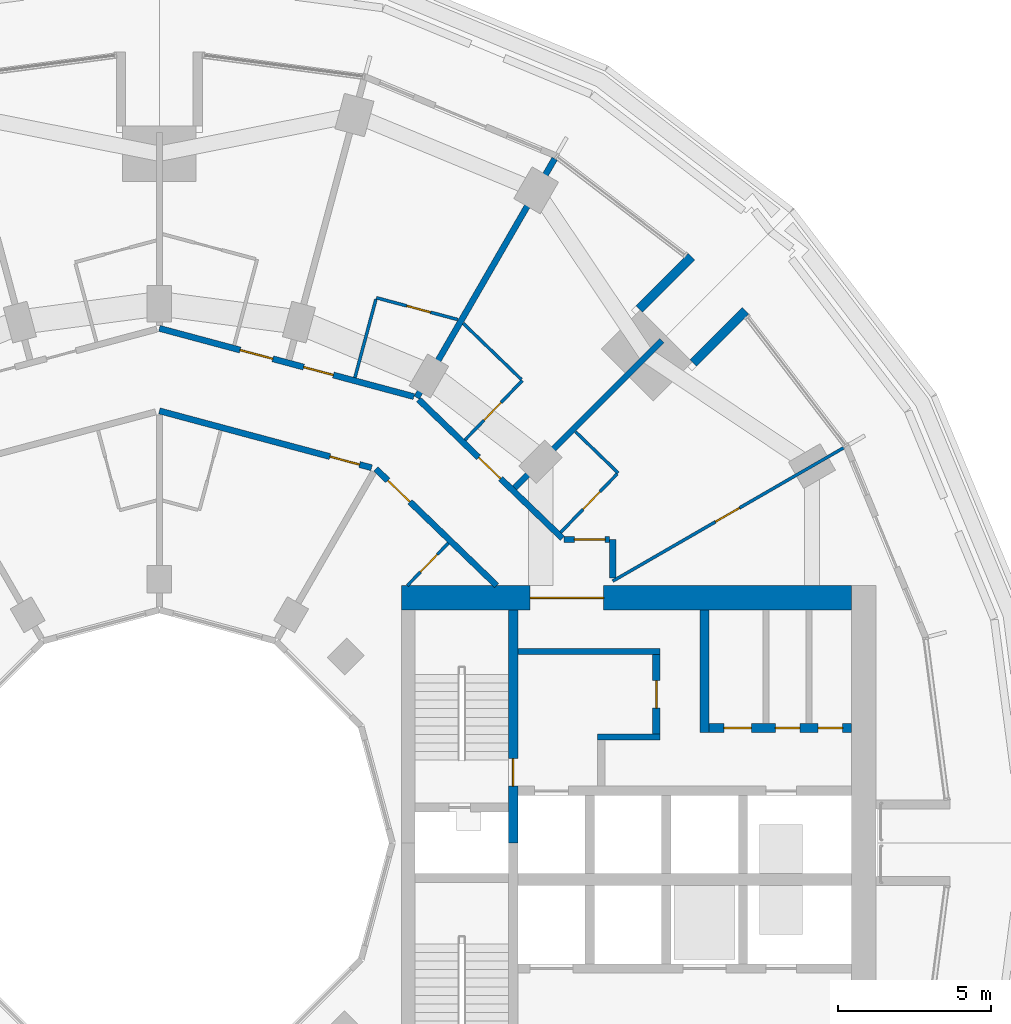
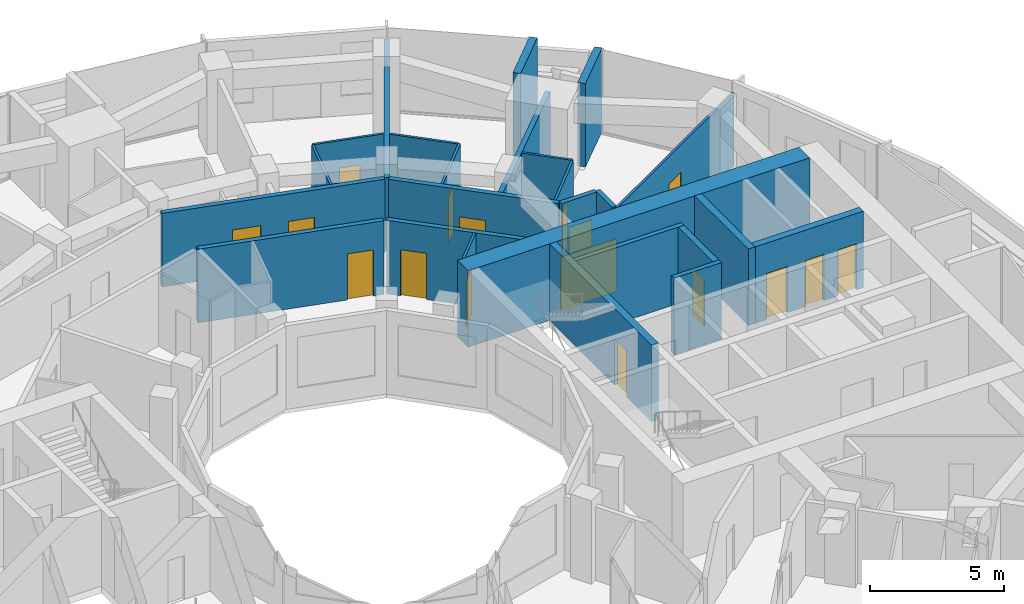
# One storey, part 16 of 19: 25 walls, 17 doors, 17 openings.
"""IFC4 building model written with IfcOpenShell, lengths in metres."""

from ifc_helpers import new_model, si_unit, direction, frame, frame_2d, origin, place, context, subcontext, project, spatial, rectangle, extrude, material, layer, layer_set, type_object, element, fill, save


model = new_model("IFC4")

# Units and contexts
model_context = context("Model", 3, precision=1e-05, world=origin(), true_north=direction((0.0, 1.0)))
body_context = subcontext(model_context, "Body", "Model", "MODEL_VIEW")
ifc_project = project(units=[si_unit("LENGTHUNIT", "METRE"), si_unit("AREAUNIT", "SQUARE_METRE"), si_unit("VOLUMEUNIT", "CUBIC_METRE"), si_unit("PLANEANGLEUNIT", "RADIAN"), si_unit("MASSUNIT", "GRAM", prefix="KILO")], contexts=[model_context])

# Site, building, storey
site_placement = place(None, origin())
site = spatial("IfcSite", under=ifc_project, at=site_placement, CompositionType="ELEMENT")
building_placement = place(site_placement, origin())
building = spatial("IfcBuilding", under=site, at=building_placement, Name="Torre Brocal", CompositionType="ELEMENT")
storey_placement = place(building_placement, frame((0.0, 0.0, 28.800048828125)))
storey = spatial("IfcBuildingStorey", under=building, at=storey_placement, Name="L05", CompositionType="ELEMENT", Elevation=28.800048828125)

# Walls
ifc_material_1 = material(Name="Concrete C80", Category="concrete")
ifc_layer_1 = layer(ifc_material_1, 0.199951171875)
ifc_layer_set_1 = layer_set([ifc_layer_1], Name="Concrete C80")
wall_type_1 = type_object("IfcWallType", Name="CORE WALL 200 C80", PredefinedType="SHEAR", material=ifc_layer_set_1)
wall_1_placement = place(storey_placement, frame((91.699951171875, 81.25, 0.0), z_axis=(0.0, 0.0, 1.0), x_axis=(1.0, 0.0, 0.0)))
element("IfcWall", 1, at=wall_1_placement, inside=storey, type_object=wall_type_1, Name="Wall CW200-80", PredefinedType="SHEAR", context=body_context, shape_type="SweptSolid", body=[
    extrude(rectangle(XDim=4.650146484375, YDim=0.199951171875, at=frame_2d((2.3251953125, 0.0))), origin(), (0.0, 0.0, 1.0), 3.47998046875),
])
wall_2_placement = place(storey_placement, frame((94.300048828125, 78.449951171875, 0.0), z_axis=(0.0, 0.0, 1.0), x_axis=(1.0, 0.0, 0.0)))
element("IfcWall", 2, at=wall_2_placement, inside=storey, type_object=wall_type_1, Name="Wall CW200-80", PredefinedType="SHEAR", context=body_context, shape_type="SweptSolid", body=[
    extrude(rectangle(XDim=2.050048828125, YDim=0.199951171875, at=frame_2d((1.02490234375, 0.0))), origin(), (0.0, 0.0, 1.0), 3.47998046875),
])

# Wall, opening, door
ifc_material_2 = material(Name="Concrete C80", Category="concrete")
ifc_layer_2 = layer(ifc_material_2, 0.25)
ifc_layer_set_2 = layer_set([ifc_layer_2], Name="Concrete C80")
wall_type_2 = type_object("IfcWallType", Name="CORE WALL 250 C80", PredefinedType="SHEAR", material=ifc_layer_set_2)
wall_3_placement = place(storey_placement, frame((96.22509765625, 78.550048828125, 0.0), z_axis=(0.0, 0.0, 1.0), x_axis=(0.0, 1.0, 0.0)))
wall_3 = element("IfcWall", 3, at=wall_3_placement, inside=storey, type_object=wall_type_2, Name="Wall CW250-80", PredefinedType="SHEAR", context=body_context, shape_type="SweptSolid", body=[
    extrude(rectangle(XDim=2.599853515625, YDim=0.25, at=frame_2d((1.2998046875, 0.0))), origin(), (0.0, 0.0, 1.0), 3.47998046875),
])
opening_1_placement = place(wall_3_placement, frame((0.85009765625, 0.0, 0.0)))
opening_1 = element("IfcOpeningElement", 4, at=opening_1_placement, cuts=wall_3, Name="Opening E-D15", PredefinedType="OPENING", context=body_context, shape_type="SweptSolid", body=[
    extrude(rectangle(XDim=0.89990234375, YDim=2.10009765625, at=frame_2d((0.449951171875, 1.050048828125))), frame((0.0, 0.135009765625, 0.0), z_axis=(0.0, -1.0, 0.0), x_axis=(1.0, 0.0, 0.0)), (0.0, 0.0, 1.0), 0.27001953125),
])
ifc_material_3 = material(Name="Steel A653", Category="steel")
door_type_1 = type_object("IfcDoorType", Name="LOBBY DOOR FD120 900X2100", OperationType="SINGLE_SWING_RIGHT", PredefinedType="DOOR", material=ifc_material_3)
door_1_placement = place(opening_1_placement, origin())
door_1 = element("IfcDoor", 5, at=door_1_placement, inside=storey, type_object=door_type_1, Name="Door E-D15", OperationType="SINGLE_SWING_LEFT", OverallHeight=2.10009765625, OverallWidth=0.89990234375, PredefinedType="DOOR", context=body_context, shape_type="SweptSolid", body=[
    extrude(rectangle(XDim=0.89990234375, YDim=2.10009765625, at=frame_2d((0.449951171875, 1.050048828125))), frame((0.0, 0.02490234375, 0.0), z_axis=(0.0, -1.0, 0.0), x_axis=(1.0, 0.0, 0.0)), (0.0, 0.0, 1.0), 0.050048828125),
])
fill(opening_1, door_1)

ifc_material_4 = material(Name="Concrete C80", Category="concrete")
ifc_layer_3 = layer(ifc_material_4, 0.300048828125)
ifc_layer_set_3 = layer_set([ifc_layer_3], Name="Concrete C80")
wall_type_3 = type_object("IfcWallType", Name="CORE WALL 300 C80", PredefinedType="SHEAR", material=ifc_layer_set_3)
wall_4_placement = place(storey_placement, frame((91.550048828125, 75.0, 0.0), z_axis=(0.0, 0.0, 1.0), x_axis=(0.0, 1.0, 0.0)))
wall_4 = element("IfcWall", 6, at=wall_4_placement, inside=storey, type_object=wall_type_3, Name="Wall CW300-80", PredefinedType="SHEAR", context=body_context, shape_type="SweptSolid", body=[
    extrude(rectangle(XDim=7.60009765625, YDim=0.300048828125, at=frame_2d((3.800048828125, 0.0))), origin(), (0.0, 0.0, 1.0), 3.47998046875),
])
opening_2_placement = place(wall_4_placement, frame((1.85009765625, 0.0, 0.0)))
opening_2 = element("IfcOpeningElement", 7, at=opening_2_placement, cuts=wall_4, Name="Opening E-D02", PredefinedType="OPENING", context=body_context, shape_type="SweptSolid", body=[
    extrude(rectangle(XDim=0.89990234375, YDim=2.10009765625, at=frame_2d((0.449951171875, 1.050048828125))), frame((0.0, 0.159912109375, 0.0), z_axis=(0.0, -1.0, 0.0), x_axis=(1.0, 0.0, 0.0)), (0.0, 0.0, 1.0), 0.320068359375),
])
ifc_material_5 = material(Name="Steel A653", Category="steel")
door_type_2 = type_object("IfcDoorType", Name="STAIR DOOR FD120 900X2100", OperationType="SINGLE_SWING_RIGHT", PredefinedType="DOOR", material=ifc_material_5)
door_2_placement = place(opening_2_placement, origin())
door_2 = element("IfcDoor", 8, at=door_2_placement, inside=storey, type_object=door_type_2, Name="Door E-D02", OperationType="SINGLE_SWING_LEFT", OverallHeight=2.10009765625, OverallWidth=0.89990234375, PredefinedType="DOOR", context=body_context, shape_type="SweptSolid", body=[
    extrude(rectangle(XDim=0.89990234375, YDim=2.10009765625, at=frame_2d((0.449951171875, 1.050048828125))), frame((0.0, 0.02490234375, 0.0), z_axis=(0.0, -1.0, 0.0), x_axis=(1.0, 0.0, 0.0)), (0.0, 0.0, 1.0), 0.050048828125),
])
fill(opening_2, door_2)

# Wall
wall_5_placement = place(storey_placement, frame((97.800048828125, 78.60009765625, 0.0), z_axis=(0.0, 0.0, 1.0), x_axis=(0.0, 1.0, 0.0)))
element("IfcWall", 9, at=wall_5_placement, inside=storey, type_object=wall_type_3, Name="Wall CW300-80", PredefinedType="SHEAR", context=body_context, shape_type="SweptSolid", body=[
    extrude(rectangle(XDim=4.0, YDim=0.300048828125, at=frame_2d((2.0, 0.0))), origin(), (0.0, 0.0, 1.0), 3.47998046875),
])

# Wall, openings, doors
wall_6_placement = place(storey_placement, frame((97.949951171875, 78.75, 0.0), z_axis=(0.0, 0.0, 1.0), x_axis=(1.0, 0.0, 0.0)))
wall_6 = element("IfcWall", 10, at=wall_6_placement, inside=storey, type_object=wall_type_3, Name="Wall CW300-80", PredefinedType="SHEAR", context=body_context, shape_type="SweptSolid", body=[
    extrude(rectangle(XDim=4.650146484375, YDim=0.300048828125, at=frame_2d((2.3251953125, 0.0))), origin(), (0.0, 0.0, 1.0), 3.47998046875),
])
opening_3_placement = place(wall_6_placement, frame((0.47998046875, 0.0, 0.0)))
opening_3 = element("IfcOpeningElement", 11, at=opening_3_placement, cuts=wall_6, Name="Opening E-D05", PredefinedType="OPENING", context=body_context, shape_type="SweptSolid", body=[
    extrude(rectangle(XDim=0.89990234375, YDim=2.10009765625, at=frame_2d((0.449951171875, 1.050048828125))), frame((0.0, 0.159912109375, 0.0), z_axis=(0.0, -1.0, 0.0), x_axis=(1.0, 0.0, 0.0)), (0.0, 0.0, 1.0), 0.320068359375),
])
opening_4_placement = place(wall_6_placement, frame((2.157470703125, 0.0, 0.0)))
opening_4 = element("IfcOpeningElement", 12, at=opening_4_placement, cuts=wall_6, Name="Opening E-D22", PredefinedType="OPENING", context=body_context, shape_type="SweptSolid", body=[
    extrude(rectangle(XDim=0.800048828125, YDim=2.10009765625, at=frame_2d((0.39990234375, 1.050048828125))), frame((0.0, 0.159912109375, 0.0), z_axis=(0.0, -1.0, 0.0), x_axis=(1.0, 0.0, 0.0)), (0.0, 0.0, 1.0), 0.320068359375),
])
opening_5_placement = place(wall_6_placement, frame((3.552490234375, 0.0, 0.0)))
opening_5 = element("IfcOpeningElement", 13, at=opening_5_placement, cuts=wall_6, Name="Opening E-D25", PredefinedType="OPENING", context=body_context, shape_type="SweptSolid", body=[
    extrude(rectangle(XDim=0.800048828125, YDim=2.10009765625, at=frame_2d((0.39990234375, 1.050048828125))), frame((0.0, 0.159912109375, 0.0), z_axis=(0.0, -1.0, 0.0), x_axis=(1.0, 0.0, 0.0)), (0.0, 0.0, 1.0), 0.320068359375),
])
ifc_material_6 = material(Name="Steel A653", Category="steel")
door_type_3 = type_object("IfcDoorType", Name="ROOM DOOR FD30S 800X2100", OperationType="SINGLE_SWING_LEFT", PredefinedType="DOOR", material=ifc_material_6)
door_3_placement = place(opening_4_placement, origin())
door_3 = element("IfcDoor", 14, at=door_3_placement, inside=storey, type_object=door_type_3, Name="Door E-D22", OperationType="SINGLE_SWING_RIGHT", OverallHeight=2.10009765625, OverallWidth=0.800048828125, PredefinedType="DOOR", context=body_context, shape_type="SweptSolid", body=[
    extrude(rectangle(XDim=0.800048828125, YDim=2.10009765625, at=frame_2d((0.39990234375, 1.050048828125))), frame((0.0, 0.02490234375, 0.0), z_axis=(0.0, -1.0, 0.0), x_axis=(1.0, 0.0, 0.0)), (0.0, 0.0, 1.0), 0.050048828125),
])
fill(opening_4, door_3)
door_4_placement = place(opening_5_placement, origin())
door_4 = element("IfcDoor", 15, at=door_4_placement, inside=storey, type_object=door_type_3, Name="Door E-D25", OperationType="SINGLE_SWING_LEFT", OverallHeight=2.10009765625, OverallWidth=0.800048828125, PredefinedType="DOOR", context=body_context, shape_type="SweptSolid", body=[
    extrude(rectangle(XDim=0.800048828125, YDim=2.10009765625, at=frame_2d((0.39990234375, 1.050048828125))), frame((0.0, 0.02490234375, 0.0), z_axis=(0.0, -1.0, 0.0), x_axis=(1.0, 0.0, 0.0)), (0.0, 0.0, 1.0), 0.050048828125),
])
fill(opening_5, door_4)
ifc_material_7 = material(Name="Steel A653", Category="steel")
door_type_4 = type_object("IfcDoorType", Name="ROOM DOOR FD30S 900X2100", OperationType="SINGLE_SWING_LEFT", PredefinedType="DOOR", material=ifc_material_7)
door_5_placement = place(opening_3_placement, origin())
door_5 = element("IfcDoor", 16, at=door_5_placement, inside=storey, type_object=door_type_4, Name="Door E-D05", OperationType="SINGLE_SWING_RIGHT", OverallHeight=2.10009765625, OverallWidth=0.89990234375, PredefinedType="DOOR", context=body_context, shape_type="SweptSolid", body=[
    extrude(rectangle(XDim=0.89990234375, YDim=2.10009765625, at=frame_2d((0.449951171875, 1.050048828125))), frame((0.0, 0.02490234375, 0.0), z_axis=(0.0, -1.0, 0.0), x_axis=(1.0, 0.0, 0.0)), (0.0, 0.0, 1.0), 0.050048828125),
])
fill(opening_3, door_5)

# Wall, opening, door
ifc_material_8 = material(Name="Concrete C80", Category="concrete")
ifc_layer_4 = layer(ifc_material_8, 0.800048828125)
ifc_layer_set_4 = layer_set([ifc_layer_4], Name="Concrete C80")
wall_type_4 = type_object("IfcWallType", Name="CORE WALL 800 C80", PredefinedType="SHEAR", material=ifc_layer_set_4)
wall_7_placement = place(storey_placement, frame((87.89990234375, 83.0, 0.0), z_axis=(0.0, 0.0, 1.0), x_axis=(1.0, 0.0, 0.0)))
wall_7 = element("IfcWall", 17, at=wall_7_placement, inside=storey, type_object=wall_type_4, Name="Wall CW800-80", PredefinedType="SHEAR", context=body_context, shape_type="SweptSolid", body=[
    extrude(rectangle(XDim=14.7001953125, YDim=0.800048828125, at=frame_2d((7.35009765625, 0.0))), origin(), (0.0, 0.0, 1.0), 3.47998046875),
])
opening_6_placement = place(wall_7_placement, frame((4.199951171875, 0.0, 0.0)))
opening_6 = element("IfcOpeningElement", 18, at=opening_6_placement, cuts=wall_7, Name="Opening E-D27", PredefinedType="OPENING", context=body_context, shape_type="SweptSolid", body=[
    extrude(rectangle(XDim=2.39990234375, YDim=2.39990234375, at=frame_2d((1.199951171875, 1.199951171875))), frame((0.0, 0.409912109375, 0.0), z_axis=(0.0, -1.0, 0.0), x_axis=(1.0, 0.0, 0.0)), (0.0, 0.0, 1.0), 0.820068359375),
])
ifc_material_9 = material(Name="Steel A653", Category="steel")
door_type_5 = type_object("IfcDoorType", Name="DOUBLE FIRE DOOR FD90 2400X2400", OperationType="DOUBLE_DOOR_SINGLE_SWING", PredefinedType="DOOR", material=ifc_material_9)
door_6_placement = place(opening_6_placement, frame((2.39990234375, 0.0, 0.0), z_axis=(0.0, 0.0, 1.0), x_axis=(-1.0, 0.0, 0.0)))
door_6 = element("IfcDoor", 19, at=door_6_placement, inside=storey, type_object=door_type_5, Name="Door E-D27", OperationType="DOUBLE_DOOR_SINGLE_SWING", OverallHeight=2.39990234375, OverallWidth=2.39990234375, PredefinedType="DOOR", context=body_context, shape_type="SweptSolid", body=[
    extrude(rectangle(XDim=2.39990234375, YDim=2.39990234375, at=frame_2d((1.199951171875, 1.199951171875))), frame((0.0, 0.02490234375, 0.0), z_axis=(0.0, -1.0, 0.0), x_axis=(1.0, 0.0, 0.0)), (0.0, 0.0, 1.0), 0.050048828125),
])
fill(opening_6, door_6)

# Walls
ifc_material_10 = material(Name="Concrete C80", Category="concrete")
ifc_layer_5 = layer(ifc_material_10, 0.300048828125)
ifc_layer_set_5 = layer_set([ifc_layer_5], Name="Concrete C80")
wall_type_5 = type_object("IfcWallType", Name="NOTCH RETURN WALL 300 C80", PredefinedType="NOTDEFINED", material=ifc_layer_set_5)
for number, where, z_axis, x_axis, name in (
    (20, (97.43017578125, 90.662353515625, 0.0), (0.0, 0.0, 1.0), (0.707106781187, 0.707106781187, 0.0), "NOTCH RETURN WALL"),
    (21, (95.662353515625, 92.43017578125, 0.0), (0.0, 0.0, 1.0), (0.707106781187, 0.707106781187, 0.0), "NOTCH RETURN WALL"),
):
    element("IfcWall", number, at=place(storey_placement, frame(where, z_axis=z_axis, x_axis=x_axis)), inside=storey, type_object=wall_type_5, Name=name, PredefinedType="NOTDEFINED", context=body_context, shape_type="SweptSolid", body=[
        extrude(rectangle(XDim=2.415771484375, YDim=0.300048828125, at=frame_2d((1.2080078125, 0.0))), origin(), (0.0, 0.0, 1.0), 3.800048828125),
    ])
ifc_material_11 = material(Name="Gypsum board", Category="Gypsum")
ifc_layer_6 = layer(ifc_material_11, 0.10009765625)
ifc_layer_set_6 = layer_set([ifc_layer_6], Name="Gypsum board")
wall_type_6 = type_object("IfcWallType", Name="PARTITION 100", PredefinedType="PARTITIONING", material=ifc_layer_set_6)
wall_8_placement = place(storey_placement, frame((86.3837890625, 90.189697265625, 0.0), z_axis=(0.0, 0.0, 1.0), x_axis=(0.258677737588, 0.965963678446, 0.0)))
element("IfcWall", 22, at=wall_8_placement, inside=storey, type_object=wall_type_6, Name="BATHROOM WALL", PredefinedType="PARTITIONING", context=body_context, shape_type="SweptSolid", body=[
    extrude(rectangle(XDim=2.649169921875, YDim=0.10009765625, at=frame_2d((1.32470703125, 0.0))), origin(), (0.0, 0.0, 1.0), 3.349853515625),
])

# Wall, opening, door
wall_9_placement = place(storey_placement, frame((87.08203125, 92.797119140625, 0.0), z_axis=(0.0, 0.0, 1.0), x_axis=(0.965926679745, -0.258815859939, 0.0)))
wall_9 = element("IfcWall", 23, at=wall_9_placement, inside=storey, type_object=wall_type_6, Name="BATHROOM WALL", PredefinedType="PARTITIONING", context=body_context, shape_type="SweptSolid", body=[
    extrude(rectangle(XDim=2.75341796875, YDim=0.10009765625, at=frame_2d((1.376708984375, 0.0))), origin(), (0.0, 0.0, 1.0), 3.349853515625),
])
opening_7_placement = place(wall_9_placement, frame((1.03173828125, 0.0, 0.0)))
opening_7 = element("IfcOpeningElement", 24, at=opening_7_placement, cuts=wall_9, Name="Opening H01-D07", PredefinedType="OPENING", context=body_context, shape_type="SweptSolid", body=[
    extrude(rectangle(XDim=0.800048828125, YDim=2.10009765625, at=frame_2d((0.39990234375, 1.050048828125))), frame((0.0, 0.06005859375, 0.0), z_axis=(0.0, -1.0, 0.0), x_axis=(1.0, 0.0, 0.0)), (0.0, 0.0, 1.0), 0.1201171875),
])
ifc_material_12 = material(Name="Timber", Category="wood")
door_type_6 = type_object("IfcDoorType", Name="BATHROOM DOOR 800X2100", OperationType="SINGLE_SWING_LEFT", PredefinedType="DOOR", material=ifc_material_12)
door_7_placement = place(opening_7_placement, frame((0.800048828125, 0.0, 0.0), z_axis=(0.0, 0.0, 1.0), x_axis=(-1.0, 0.0, 0.0)))
door_7 = element("IfcDoor", 25, at=door_7_placement, inside=storey, type_object=door_type_6, Name="H01-D07", OperationType="SINGLE_SWING_LEFT", OverallHeight=2.10009765625, OverallWidth=0.800048828125, PredefinedType="DOOR", context=body_context, shape_type="SweptSolid", body=[
    extrude(rectangle(XDim=0.800048828125, YDim=2.10009765625, at=frame_2d((0.39990234375, 1.050048828125))), frame((0.0, 0.02490234375, 0.0), z_axis=(0.0, -1.0, 0.0), x_axis=(1.0, 0.0, 0.0)), (0.0, 0.0, 1.0), 0.050048828125),
])
fill(opening_7, door_7)

wall_10_placement = place(storey_placement, frame((88.094970703125, 83.39990234375, 0.0), z_axis=(0.0, 0.0, 1.0), x_axis=(0.694447472534, 0.719543402368, 0.0)))
wall_10 = element("IfcWall", 26, at=wall_10_placement, inside=storey, type_object=wall_type_6, Name="BATHROOM WALL", PredefinedType="PARTITIONING", context=body_context, shape_type="SweptSolid", body=[
    extrude(rectangle(XDim=1.92626953125, YDim=0.10009765625, at=frame_2d((0.963134765625, 0.0))), origin(), (0.0, 0.0, 1.0), 3.349853515625),
])
opening_8_placement = place(wall_10_placement, frame((0.613037109375, 0.0, 0.0)))
opening_8 = element("IfcOpeningElement", 27, at=opening_8_placement, cuts=wall_10, Name="Opening H01-D19", PredefinedType="OPENING", context=body_context, shape_type="SweptSolid", body=[
    extrude(rectangle(XDim=0.800048828125, YDim=2.10009765625, at=frame_2d((0.39990234375, 1.050048828125))), frame((0.0, 0.06005859375, 0.0), z_axis=(0.0, -1.0, 0.0), x_axis=(1.0, 0.0, 0.0)), (0.0, 0.0, 1.0), 0.1201171875),
])
door_8_placement = place(opening_8_placement, frame((0.800048828125, 0.0, 0.0), z_axis=(0.0, 0.0, 1.0), x_axis=(-1.0, 0.0, 0.0)))
door_8 = element("IfcDoor", 28, at=door_8_placement, inside=storey, type_object=door_type_6, Name="H01-D19", OperationType="SINGLE_SWING_LEFT", OverallHeight=2.10009765625, OverallWidth=0.800048828125, PredefinedType="DOOR", context=body_context, shape_type="SweptSolid", body=[
    extrude(rectangle(XDim=0.800048828125, YDim=2.10009765625, at=frame_2d((0.39990234375, 1.050048828125))), frame((0.0, 0.02490234375, 0.0), z_axis=(0.0, -1.0, 0.0), x_axis=(1.0, 0.0, 0.0)), (0.0, 0.0, 1.0), 0.050048828125),
])
fill(opening_8, door_8)

# Wall
wall_11_placement = place(storey_placement, frame((89.9248046875, 91.955810546875, 0.0), z_axis=(0.0, 0.0, 1.0), x_axis=(0.71935982196, -0.694637636865, 0.0)))
element("IfcWall", 29, at=wall_11_placement, inside=storey, type_object=wall_type_6, Name="BATHROOM WALL", PredefinedType="PARTITIONING", context=body_context, shape_type="SweptSolid", body=[
    extrude(rectangle(XDim=2.626953125, YDim=0.10009765625, at=frame_2d((1.3134765625, 0.0))), origin(), (0.0, 0.0, 1.0), 3.349853515625),
])

# Wall, opening, door
wall_12_placement = place(storey_placement, frame((89.9755859375, 88.154052734375, 0.0), z_axis=(0.0, 0.0, 1.0), x_axis=(0.6945137956, 0.719479386585, 0.0)))
wall_12 = element("IfcWall", 30, at=wall_12_placement, inside=storey, type_object=wall_type_6, Name="BATHROOM WALL", PredefinedType="PARTITIONING", context=body_context, shape_type="SweptSolid", body=[
    extrude(rectangle(XDim=2.698974609375, YDim=0.10009765625, at=frame_2d((1.349609375, 0.0))), origin(), (0.0, 0.0, 1.0), 3.349853515625),
])
opening_9_placement = place(wall_12_placement, frame((0.899658203125, 0.0, 0.0)))
opening_9 = element("IfcOpeningElement", 31, at=opening_9_placement, cuts=wall_12, Name="Opening H01-D05", PredefinedType="OPENING", context=body_context, shape_type="SweptSolid", body=[
    extrude(rectangle(XDim=0.800048828125, YDim=2.10009765625, at=frame_2d((0.39990234375, 1.050048828125))), frame((0.0, 0.06005859375, 0.0), z_axis=(0.0, -1.0, 0.0), x_axis=(1.0, 0.0, 0.0)), (0.0, 0.0, 1.0), 0.1201171875),
])
door_9_placement = place(opening_9_placement, origin())
door_9 = element("IfcDoor", 32, at=door_9_placement, inside=storey, type_object=door_type_6, Name="H01-D05", OperationType="SINGLE_SWING_LEFT", OverallHeight=2.10009765625, OverallWidth=0.800048828125, PredefinedType="DOOR", context=body_context, shape_type="SweptSolid", body=[
    extrude(rectangle(XDim=0.800048828125, YDim=2.10009765625, at=frame_2d((0.39990234375, 1.050048828125))), frame((0.0, 0.02490234375, 0.0), z_axis=(0.0, -1.0, 0.0), x_axis=(1.0, 0.0, 0.0)), (0.0, 0.0, 1.0), 0.050048828125),
])
fill(opening_9, door_9)

wall_13_placement = place(storey_placement, frame((93.1025390625, 85.135986328125, 0.0), z_axis=(0.0, 0.0, 1.0), x_axis=(0.694324808789, 0.719661767708, 0.0)))
wall_13 = element("IfcWall", 33, at=wall_13_placement, inside=storey, type_object=wall_type_6, Name="BATHROOM WALL", PredefinedType="PARTITIONING", context=body_context, shape_type="SweptSolid", body=[
    extrude(rectangle(XDim=2.64990234375, YDim=0.10009765625, at=frame_2d((1.324951171875, 0.0))), origin(), (0.0, 0.0, 1.0), 3.349853515625),
])
opening_10_placement = place(wall_13_placement, frame((1.0498046875, 0.0, 0.0)))
opening_10 = element("IfcOpeningElement", 34, at=opening_10_placement, cuts=wall_13, Name="Opening H01-D02", PredefinedType="OPENING", context=body_context, shape_type="SweptSolid", body=[
    extrude(rectangle(XDim=0.800048828125, YDim=2.10009765625, at=frame_2d((0.39990234375, 1.050048828125))), frame((0.0, 0.06005859375, 0.0), z_axis=(0.0, -1.0, 0.0), x_axis=(1.0, 0.0, 0.0)), (0.0, 0.0, 1.0), 0.1201171875),
])
door_10_placement = place(opening_10_placement, origin())
door_10 = element("IfcDoor", 35, at=door_10_placement, inside=storey, type_object=door_type_6, Name="H01-D02", OperationType="SINGLE_SWING_RIGHT", OverallHeight=2.10009765625, OverallWidth=0.800048828125, PredefinedType="DOOR", context=body_context, shape_type="SweptSolid", body=[
    extrude(rectangle(XDim=0.800048828125, YDim=2.10009765625, at=frame_2d((0.39990234375, 1.050048828125))), frame((0.0, 0.02490234375, 0.0), z_axis=(0.0, -1.0, 0.0), x_axis=(1.0, 0.0, 0.0)), (0.0, 0.0, 1.0), 0.050048828125),
])
fill(opening_10, door_10)

# Wall
wall_14_placement = place(storey_placement, frame((93.5810546875, 88.425048828125, 0.0), z_axis=(0.0, 0.0, 1.0), x_axis=(0.719336381931, -0.694661910307, 0.0)))
element("IfcWall", 36, at=wall_14_placement, inside=storey, type_object=wall_type_6, Name="BATHROOM WALL", PredefinedType="PARTITIONING", context=body_context, shape_type="SweptSolid", body=[
    extrude(rectangle(XDim=1.939208984375, YDim=0.10009765625, at=frame_2d((0.9697265625, 0.0))), origin(), (0.0, 0.0, 1.0), 3.349853515625),
])

# Wall, opening, door
wall_15_placement = place(storey_placement, frame((94.800048828125, 83.544921875, 0.0), z_axis=(0.0, 0.0, 1.0), x_axis=(0.86602264145, 0.500004784474, 0.0)))
wall_15 = element("IfcWall", 37, at=wall_15_placement, inside=storey, type_object=wall_type_6, Name="ROOM PARTITION", PredefinedType="PARTITIONING", context=body_context, shape_type="SweptSolid", body=[
    extrude(rectangle(XDim=8.7080078125, YDim=0.10009765625, at=frame_2d((4.35400390625, 0.0))), origin(), (0.0, 0.0, 1.0), 3.349853515625),
])
opening_11_placement = place(wall_15_placement, frame((3.87890625, 0.0, 0.0)))
opening_11 = element("IfcOpeningElement", 38, at=opening_11_placement, cuts=wall_15, Name="Opening H01-D03", PredefinedType="OPENING", context=body_context, shape_type="SweptSolid", body=[
    extrude(rectangle(XDim=0.89990234375, YDim=2.10009765625, at=frame_2d((0.449951171875, 1.050048828125))), frame((0.0, 0.06005859375, 0.0), z_axis=(0.0, -1.0, 0.0), x_axis=(1.0, 0.0, 0.0)), (0.0, 0.0, 1.0), 0.1201171875),
])
ifc_material_13 = material(Name="Timber", Category="wood")
door_type_7 = type_object("IfcDoorType", Name="ROOM DOOR 900X2100", OperationType="SINGLE_SWING_LEFT", PredefinedType="DOOR", material=ifc_material_13)
door_11_placement = place(opening_11_placement, frame((0.89990234375, 0.0, 0.0), z_axis=(0.0, 0.0, 1.0), x_axis=(-1.0, 0.0, 0.0)))
door_11 = element("IfcDoor", 39, at=door_11_placement, inside=storey, type_object=door_type_7, Name="H01-D03", OperationType="SINGLE_SWING_RIGHT", OverallHeight=2.10009765625, OverallWidth=0.89990234375, PredefinedType="DOOR", context=body_context, shape_type="SweptSolid", body=[
    extrude(rectangle(XDim=0.89990234375, YDim=2.10009765625, at=frame_2d((0.449951171875, 1.050048828125))), frame((0.0, 0.02490234375, 0.0), z_axis=(0.0, -1.0, 0.0), x_axis=(1.0, 0.0, 0.0)), (0.0, 0.0, 1.0), 0.050048828125),
])
fill(opening_11, door_11)

ifc_material_14 = material(Name="Gypsum board", Category="Gypsum")
ifc_layer_7 = layer(ifc_material_14, 0.199951171875)
ifc_layer_set_7 = layer_set([ifc_layer_7], Name="Gypsum board")
wall_type_7 = type_object("IfcWallType", Name="PARTITION 200 EI60", PredefinedType="PARTITIONING", material=ifc_layer_set_7)
wall_16_placement = place(storey_placement, frame((80.0, 89.10400390625, 0.0), z_axis=(0.0, 0.0, 1.0), x_axis=(0.965856548257, -0.259077455964, 0.0)))
wall_16 = element("IfcWall", 40, at=wall_16_placement, inside=storey, type_object=wall_type_7, Name="GUESTROOM CORRIDOR WALL", PredefinedType="PARTITIONING", context=body_context, shape_type="SweptSolid", body=[
    extrude(rectangle(XDim=7.173095703125, YDim=0.199951171875, at=frame_2d((3.58642578125, 0.0))), origin(), (0.0, 0.0, 1.0), 3.349853515625),
])
opening_12_placement = place(wall_16_placement, frame((5.76318359375, 0.0, 0.0)))
opening_12 = element("IfcOpeningElement", 41, at=opening_12_placement, cuts=wall_16, Name="Opening H01-D20", PredefinedType="OPENING", context=body_context, shape_type="SweptSolid", body=[
    extrude(rectangle(XDim=1.0, YDim=2.10009765625, at=frame_2d((0.5, 1.050048828125))), frame((0.0, 0.10986328125, 0.0), z_axis=(0.0, -1.0, 0.0), x_axis=(1.0, 0.0, 0.0)), (0.0, 0.0, 1.0), 0.219970703125),
])
ifc_material_15 = material(Name="Timber", Category="wood")
door_type_8 = type_object("IfcDoorType", Name="FLAT ENTRY DOOR FD30S 1000X2100", OperationType="SINGLE_SWING_RIGHT", PredefinedType="DOOR", material=ifc_material_15)
door_12_placement = place(opening_12_placement, frame((1.0, 0.0, 0.0), z_axis=(0.0, 0.0, 1.0), x_axis=(-1.0, 0.0, 0.0)))
door_12 = element("IfcDoor", 42, at=door_12_placement, inside=storey, type_object=door_type_8, Name="H01-D20", OperationType="SINGLE_SWING_LEFT", OverallHeight=2.10009765625, OverallWidth=1.0, PredefinedType="DOOR", context=body_context, shape_type="SweptSolid", body=[
    extrude(rectangle(XDim=1.0, YDim=2.10009765625, at=frame_2d((0.5, 1.050048828125))), frame((0.0, 0.02490234375, 0.0), z_axis=(0.0, -1.0, 0.0), x_axis=(1.0, 0.0, 0.0)), (0.0, 0.0, 1.0), 0.050048828125),
])
fill(opening_12, door_12)

# Wall, openings, doors
wall_17_placement = place(storey_placement, frame((80.000244140625, 91.796875, 0.0), z_axis=(0.0, 0.0, 1.0), x_axis=(0.965857042792, -0.259075612301, 0.0)))
wall_17 = element("IfcWall", 43, at=wall_17_placement, inside=storey, type_object=wall_type_7, Name="GUESTROOM CORRIDOR WALL", PredefinedType="PARTITIONING", context=body_context, shape_type="SweptSolid", body=[
    extrude(rectangle(XDim=8.601806640625, YDim=0.199951171875, at=frame_2d((4.30078125, 0.0))), origin(), (0.0, 0.0, 1.0), 3.349853515625),
])
opening_13_placement = place(wall_17_placement, frame((4.87744140625, 0.0, 0.0)))
opening_13 = element("IfcOpeningElement", 44, at=opening_13_placement, cuts=wall_17, Name="Opening H01-D06", PredefinedType="OPENING", context=body_context, shape_type="SweptSolid", body=[
    extrude(rectangle(XDim=1.0, YDim=2.10009765625, at=frame_2d((0.5, 1.050048828125))), frame((0.0, 0.10986328125, 0.0), z_axis=(0.0, -1.0, 0.0), x_axis=(1.0, 0.0, 0.0)), (0.0, 0.0, 1.0), 0.219970703125),
])
opening_14_placement = place(wall_17_placement, frame((2.73046875, 0.0, 0.0)))
opening_14 = element("IfcOpeningElement", 45, at=opening_14_placement, cuts=wall_17, Name="Opening H01-D08", PredefinedType="OPENING", context=body_context, shape_type="SweptSolid", body=[
    extrude(rectangle(XDim=1.10009765625, YDim=2.10009765625, at=frame_2d((0.550048828125, 1.050048828125))), frame((0.0, 0.10986328125, 0.0), z_axis=(0.0, -1.0, 0.0), x_axis=(1.0, 0.0, 0.0)), (0.0, 0.0, 1.0), 0.219970703125),
])
ifc_material_16 = material(Name="Timber", Category="wood")
door_type_9 = type_object("IfcDoorType", Name="ACCESSIBLE ENTRY DOOR FD30S 1100X2100", OperationType="SINGLE_SWING_RIGHT", PredefinedType="DOOR", material=ifc_material_16)
door_13_placement = place(opening_14_placement, origin())
door_13 = element("IfcDoor", 46, at=door_13_placement, inside=storey, type_object=door_type_9, Name="H01-D08", OperationType="SINGLE_SWING_LEFT", OverallHeight=2.10009765625, OverallWidth=1.10009765625, PredefinedType="DOOR", context=body_context, shape_type="SweptSolid", body=[
    extrude(rectangle(XDim=1.10009765625, YDim=2.10009765625, at=frame_2d((0.550048828125, 1.050048828125))), frame((0.0, 0.02490234375, 0.0), z_axis=(0.0, -1.0, 0.0), x_axis=(1.0, 0.0, 0.0)), (0.0, 0.0, 1.0), 0.050048828125),
])
fill(opening_14, door_13)
door_14_placement = place(opening_13_placement, origin())
door_14 = element("IfcDoor", 47, at=door_14_placement, inside=storey, type_object=door_type_8, Name="H01-D06", OperationType="SINGLE_SWING_LEFT", OverallHeight=2.10009765625, OverallWidth=1.0, PredefinedType="DOOR", context=body_context, shape_type="SweptSolid", body=[
    extrude(rectangle(XDim=1.0, YDim=2.10009765625, at=frame_2d((0.5, 1.050048828125))), frame((0.0, 0.02490234375, 0.0), z_axis=(0.0, -1.0, 0.0), x_axis=(1.0, 0.0, 0.0)), (0.0, 0.0, 1.0), 0.050048828125),
])
fill(opening_13, door_14)

# Wall, opening, door
wall_18_placement = place(storey_placement, frame((87.06396484375, 87.2109375, 0.0), z_axis=(0.0, 0.0, 1.0), x_axis=(0.719540958932, -0.694450004262, 0.0)))
wall_18 = element("IfcWall", 48, at=wall_18_placement, inside=storey, type_object=wall_type_7, Name="GUESTROOM CORRIDOR WALL", PredefinedType="PARTITIONING", context=body_context, shape_type="SweptSolid", body=[
    extrude(rectangle(XDim=5.48779296875, YDim=0.199951171875, at=frame_2d((2.743896484375, 0.0))), origin(), (0.0, 0.0, 1.0), 3.349853515625),
])
opening_15_placement = place(wall_18_placement, frame((0.550048828125, 0.0, 0.0)))
opening_15 = element("IfcOpeningElement", 49, at=opening_15_placement, cuts=wall_18, Name="Opening H01-D18", PredefinedType="OPENING", context=body_context, shape_type="SweptSolid", body=[
    extrude(rectangle(XDim=1.0, YDim=2.10009765625, at=frame_2d((0.5, 1.050048828125))), frame((0.0, 0.10986328125, 0.0), z_axis=(0.0, -1.0, 0.0), x_axis=(1.0, 0.0, 0.0)), (0.0, 0.0, 1.0), 0.219970703125),
])
door_15_placement = place(opening_15_placement, frame((1.0, 0.0, 0.0), z_axis=(0.0, 0.0, 1.0), x_axis=(-1.0, 0.0, 0.0)))
door_15 = element("IfcDoor", 50, at=door_15_placement, inside=storey, type_object=door_type_8, Name="H01-D18", OperationType="SINGLE_SWING_RIGHT", OverallHeight=2.10009765625, OverallWidth=1.0, PredefinedType="DOOR", context=body_context, shape_type="SweptSolid", body=[
    extrude(rectangle(XDim=1.0, YDim=2.10009765625, at=frame_2d((0.5, 1.050048828125))), frame((0.0, 0.02490234375, 0.0), z_axis=(0.0, -1.0, 0.0), x_axis=(1.0, 0.0, 0.0)), (0.0, 0.0, 1.0), 0.050048828125),
])
fill(opening_15, door_15)

wall_19_placement = place(storey_placement, frame((88.46533203125, 89.472900390625, 0.0), z_axis=(0.0, 0.0, 1.0), x_axis=(0.719457552421, -0.694536413922, 0.0)))
wall_19 = element("IfcWall", 51, at=wall_19_placement, inside=storey, type_object=wall_type_7, Name="GUESTROOM CORRIDOR WALL", PredefinedType="PARTITIONING", context=body_context, shape_type="SweptSolid", body=[
    extrude(rectangle(XDim=6.5244140625, YDim=0.199951171875, at=frame_2d((3.26220703125, 0.0))), origin(), (0.0, 0.0, 1.0), 3.349853515625),
])
opening_16_placement = place(wall_19_placement, frame((2.718505859375, 0.0, 0.0)))
opening_16 = element("IfcOpeningElement", 52, at=opening_16_placement, cuts=wall_19, Name="Opening H01-D04", PredefinedType="OPENING", context=body_context, shape_type="SweptSolid", body=[
    extrude(rectangle(XDim=1.0, YDim=2.10009765625, at=frame_2d((0.5, 1.050048828125))), frame((0.0, 0.10986328125, 0.0), z_axis=(0.0, -1.0, 0.0), x_axis=(1.0, 0.0, 0.0)), (0.0, 0.0, 1.0), 0.219970703125),
])
door_16_placement = place(opening_16_placement, origin())
door_16 = element("IfcDoor", 53, at=door_16_placement, inside=storey, type_object=door_type_8, Name="H01-D04", OperationType="SINGLE_SWING_RIGHT", OverallHeight=2.10009765625, OverallWidth=1.0, PredefinedType="DOOR", context=body_context, shape_type="SweptSolid", body=[
    extrude(rectangle(XDim=1.0, YDim=2.10009765625, at=frame_2d((0.5, 1.050048828125))), frame((0.0, 0.02490234375, 0.0), z_axis=(0.0, -1.0, 0.0), x_axis=(1.0, 0.0, 0.0)), (0.0, 0.0, 1.0), 0.050048828125),
])
fill(opening_16, door_16)

# Walls
wall_20_placement = place(storey_placement, frame((88.39990234375, 89.53759765625, 0.0), z_axis=(0.0, 0.0, 1.0), x_axis=(0.5002401188, 0.865886726739, 0.0)))
element("IfcWall", 54, at=wall_20_placement, inside=storey, type_object=wall_type_7, Name="BATHROOM WALL", PredefinedType="PARTITIONING", context=body_context, shape_type="SweptSolid", body=[
    extrude(rectangle(XDim=9.0078125, YDim=0.199951171875, at=frame_2d((4.50390625, 0.0))), origin(), (0.0, 0.0, 1.0), 3.349853515625),
])
wall_21_placement = place(storey_placement, frame((91.594482421875, 86.59130859375, 0.0), z_axis=(0.0, 0.0, 1.0), x_axis=(0.707214399597, 0.706999146394, 0.0)))
element("IfcWall", 55, at=wall_21_placement, inside=storey, type_object=wall_type_7, Name="BATHROOM WALL", PredefinedType="PARTITIONING", context=body_context, shape_type="SweptSolid", body=[
    extrude(rectangle(XDim=6.80517578125, YDim=0.199951171875, at=frame_2d((3.402587890625, 0.0))), origin(), (0.0, 0.0, 1.0), 3.349853515625),
])

# Wall, opening, door
wall_22_placement = place(storey_placement, frame((93.202880859375, 84.89990234375, 0.0), z_axis=(0.0, 0.0, 1.0), x_axis=(1.0, 0.0, 0.0)))
wall_22 = element("IfcWall", 56, at=wall_22_placement, inside=storey, type_object=wall_type_7, Name="GUESTROOM CORRIDOR WALL", PredefinedType="PARTITIONING", context=body_context, shape_type="SweptSolid", body=[
    extrude(rectangle(XDim=1.4970703125, YDim=0.199951171875, at=frame_2d((0.74853515625, 0.0))), origin(), (0.0, 0.0, 1.0), 3.349853515625),
])
opening_17_placement = place(wall_22_placement, frame((0.346923828125, 0.0, 0.0)))
opening_17 = element("IfcOpeningElement", 57, at=opening_17_placement, cuts=wall_22, Name="Opening H01-D01", PredefinedType="OPENING", context=body_context, shape_type="SweptSolid", body=[
    extrude(rectangle(XDim=1.0, YDim=2.10009765625, at=frame_2d((0.5, 1.050048828125))), frame((0.0, 0.10986328125, 0.0), z_axis=(0.0, -1.0, 0.0), x_axis=(1.0, 0.0, 0.0)), (0.0, 0.0, 1.0), 0.219970703125),
])
door_17_placement = place(opening_17_placement, origin())
door_17 = element("IfcDoor", 58, at=door_17_placement, inside=storey, type_object=door_type_8, Name="H01-D01", OperationType="SINGLE_SWING_RIGHT", OverallHeight=2.10009765625, OverallWidth=1.0, PredefinedType="DOOR", context=body_context, shape_type="SweptSolid", body=[
    extrude(rectangle(XDim=1.0, YDim=2.10009765625, at=frame_2d((0.5, 1.050048828125))), frame((0.0, 0.02490234375, 0.0), z_axis=(0.0, -1.0, 0.0), x_axis=(1.0, 0.0, 0.0)), (0.0, 0.0, 1.0), 0.050048828125),
])
fill(opening_17, door_17)

# Wall
wall_23_placement = place(storey_placement, frame((94.800048828125, 83.64990234375, 0.0), z_axis=(0.0, 0.0, 1.0), x_axis=(0.0, 1.0, 0.0)))
element("IfcWall", 59, at=wall_23_placement, inside=storey, type_object=wall_type_7, Name="GUESTROOM CORRIDOR WALL", PredefinedType="PARTITIONING", context=body_context, shape_type="SweptSolid", body=[
    extrude(rectangle(XDim=1.25, YDim=0.199951171875, at=frame_2d((0.625, 0.0))), origin(), (0.0, 0.0, 1.0), 3.349853515625),
])

save(model, "model.ifc")
